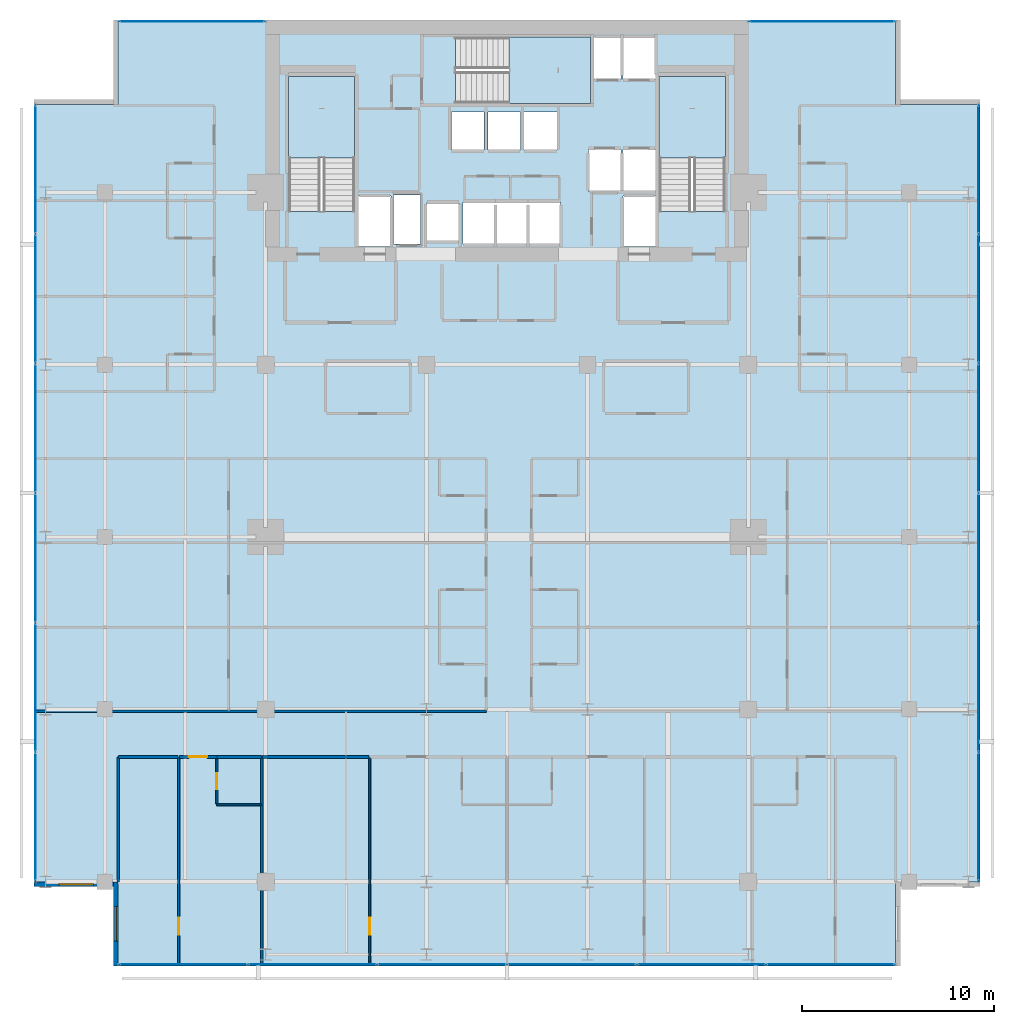
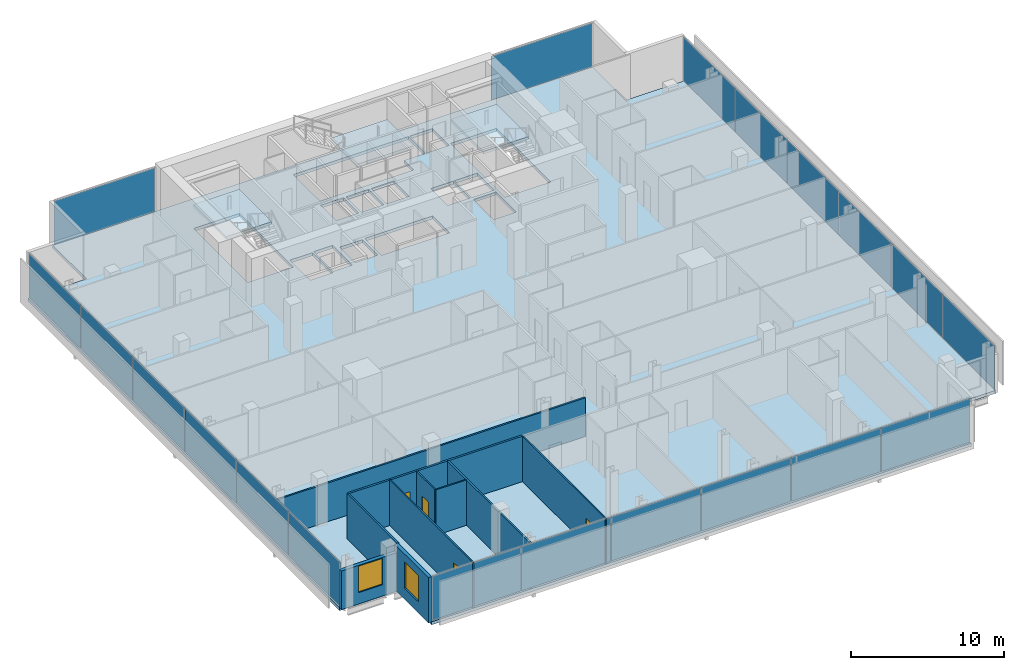
# One storey, part 26 of 34: 20 plates, 13 walls, 4 doors, 4 slabs, 2 windows, 6 openings, 8 elements without a shape of their own.
"""IFC4 building model written with IfcOpenShell, lengths in metres."""

from ifc_helpers import new_model, si_unit, direction, frame, frame_2d, origin, origin_2d, place, context, subcontext, project, spatial, polyline, rectangle, outline, extrude, material, layer, layer_set, type_object, element, fill, aggregate, save


model = new_model("IFC4")

# Units and contexts
model_context = context("Model", 3, precision=1e-05, world=origin(), true_north=direction((0.0, 1.0)))
body_context = subcontext(model_context, "Body", "Model", "MODEL_VIEW")
ifc_project = project(units=[si_unit("LENGTHUNIT", "METRE"), si_unit("AREAUNIT", "SQUARE_METRE"), si_unit("VOLUMEUNIT", "CUBIC_METRE"), si_unit("PLANEANGLEUNIT", "RADIAN"), si_unit("MASSUNIT", "GRAM", prefix="KILO")], contexts=[model_context])

# Site, building, storey
site_placement = place(None, origin())
site = spatial("IfcSite", under=ifc_project, at=site_placement, CompositionType="ELEMENT")
building_placement = place(site_placement, origin())
building = spatial("IfcBuilding", under=site, at=building_placement, Name="Maruvema Waterfront Hotel and Observation Tower", CompositionType="ELEMENT")
storey_placement = place(building_placement, frame((0.0, 0.0, 215.949951171875)))
storey = spatial("IfcBuildingStorey", under=building, at=storey_placement, Name="L53", CompositionType="ELEMENT", Elevation=215.949951171875)

# Slab
ifc_material_1 = material(Name="Concrete C50/60", Category="concrete")
ifc_layer_1 = layer(ifc_material_1, 0.239990234375, Name="Reinforced Concrete Floor Slab 240 mm")
ifc_layer_set_1 = layer_set([ifc_layer_1], Name="Concrete C50/60")
slab_type_1 = type_object("IfcSlabType", Name="Reinforced Concrete Floor Slab 240 mm", PredefinedType="FLOOR", material=ifc_layer_set_1)
slab_1_placement = place(storey_placement, frame((0.0, 0.0, -0.239990234375)))
element("IfcSlab", 1, at=slab_1_placement, inside=storey, type_object=slab_type_1, Name="L53 Structural Floor Slab", PredefinedType="FLOOR", context=body_context, shape_type="SweptSolid", body=[
    extrude(outline(polyline([(17.5, 4.60009765625), (58.10009765625, 4.60009765625), (58.10009765625, 9.0), (62.5, 9.0), (62.5, 49.60009765625), (58.10009765625, 49.60009765625), (58.10009765625, 54.0), (17.5, 54.0), (17.5, 49.60009765625), (13.10009765625, 49.60009765625), (13.10009765625, 9.0), (17.5, 9.0), (17.5, 4.60009765625)]), holes=[polyline([(26.39990234375, 44.00048828125), (26.39990234375, 51.050048828125), (29.85009765625, 51.050048828125), (29.85009765625, 44.00048828125), (26.39990234375, 44.00048828125)]), polyline([(30.050048828125, 44.800048828125), (31.75, 44.800048828125), (31.75, 42.169921875), (30.050048828125, 42.169921875), (30.050048828125, 44.800048828125)]), polyline([(31.8798828125, 44.860107421875), (33.280029296875, 44.860107421875), (33.280029296875, 42.2900390625), (31.8798828125, 42.2900390625), (31.8798828125, 44.860107421875)]), polyline([(33.60009765625, 44.449951171875), (35.300048828125, 44.449951171875), (35.300048828125, 42.449951171875), (33.60009765625, 42.449951171875), (33.60009765625, 44.449951171875)]), polyline([(34.89990234375, 49.199951171875), (36.60009765625, 49.199951171875), (36.60009765625, 47.199951171875), (34.89990234375, 47.199951171875), (34.89990234375, 49.199951171875)]), polyline([(36.800048828125, 49.199951171875), (38.5, 49.199951171875), (38.5, 47.199951171875), (36.800048828125, 47.199951171875), (36.800048828125, 49.199951171875)]), polyline([(35.5, 42.300048828125), (35.5, 44.5), (40.60009765625, 44.5), (40.60009765625, 42.300048828125), (35.5, 42.300048828125)]), polyline([(35.1005859375, 53.10009765625), (43.75, 53.10009765625), (43.75, 50.89990234375), (42.14990234375, 50.89990234375), (42.14990234375, 49.64990234375), (35.1005859375, 49.64990234375), (35.1005859375, 53.10009765625)]), polyline([(38.699951171875, 49.199951171875), (40.39990234375, 49.199951171875), (40.39990234375, 47.199951171875), (38.699951171875, 47.199951171875), (38.699951171875, 49.199951171875)]), polyline([(42.050048828125, 47.25), (43.75, 47.25), (43.75, 45.050048828125), (42.050048828125, 45.050048828125), (42.050048828125, 47.25)]), polyline([(43.85009765625, 44.800048828125), (45.550048828125, 44.800048828125), (45.550048828125, 42.169921875), (43.85009765625, 42.169921875), (43.85009765625, 44.800048828125)]), polyline([(43.85009765625, 47.25), (45.550048828125, 47.25), (45.550048828125, 45.050048828125), (43.85009765625, 45.050048828125), (43.85009765625, 47.25)]), polyline([(45.550048828125, 53.10009765625), (45.550048828125, 50.89990234375), (43.85009765625, 50.89990234375), (43.85009765625, 53.10009765625), (45.550048828125, 53.10009765625)]), polyline([(45.75, 44.00048828125), (45.75, 51.050048828125), (49.199951171875, 51.050048828125), (49.199951171875, 44.00048828125), (45.75, 44.00048828125)])]), origin(), (0.0, 0.0, 1.0), 0.239990234375),
])

# Curtain wall, plates
ifc_material_2 = material(Name="Anodised bronze aluminium and solar-control low-E IGU", Category="aluminium")
ifc_layer_2 = layer(ifc_material_2, 0.159912109375, Name="Zone 2 Amber Inner Thermal Curtain Wall System CW-03")
ifc_layer_set_2 = layer_set([ifc_layer_2], Name="Anodised bronze aluminium and solar-control low-E IGU")
curtain_wall_type = type_object("IfcCurtainWallType", Name="Zone 2 Amber Inner Thermal Curtain Wall System CW-03", PredefinedType="USERDEFINED", material=ifc_layer_set_2)
curtain_wall_1_placement = place(storey_placement, origin())
curtain_wall_1 = element("IfcCurtainWall", 2, at=curtain_wall_1_placement, inside=storey, type_object=curtain_wall_type, Name="L53 Curtain Wall CW-L53-S", ObjectType="UNITISED CURTAIN WALL", PredefinedType="USERDEFINED")
ifc_material_3 = material(Name="Laminated low-E solar-control double glazing", Category="glass")
ifc_layer_3 = layer(ifc_material_3, 0.035888671875, Name="Solar Control Double-Glazed Curtain Panel 36 mm")
ifc_layer_set_3 = layer_set([ifc_layer_3], Name="Laminated low-E solar-control double glazing")
plate_type = type_object("IfcPlateType", Name="Solar Control Double-Glazed Curtain Panel 36 mm", PredefinedType="CURTAIN_PANEL", material=ifc_layer_set_3)
plate_1_placement = place(storey_placement, frame((20.8984375, 4.679931640625, 0.06005859375), z_axis=(0.0, 0.0, 1.0), x_axis=(1.0, 0.0, 0.0)))
plate_1 = element("IfcPlate", 3, at=plate_1_placement, type_object=plate_type, Name="CW-03 panel 1.1", PredefinedType="CURTAIN_PANEL", context=body_context, shape_type="SweptSolid", body=[
    extrude(rectangle(XDim=6.6767578125, YDim=0.028076171875, at=origin_2d()), origin(), (0.0, 0.0, 1.0), 3.489990234375),
])
plate_2_placement = place(storey_placement, frame((27.64990234375, 4.679931640625, 0.06005859375), z_axis=(0.0, 0.0, 1.0), x_axis=(1.0, 0.0, 0.0)))
plate_2 = element("IfcPlate", 4, at=plate_2_placement, type_object=plate_type, Name="CW-03 panel 2.1", PredefinedType="CURTAIN_PANEL", context=body_context, shape_type="SweptSolid", body=[
    extrude(rectangle(XDim=6.706787109375, YDim=0.028076171875, at=origin_2d()), origin(), (0.0, 0.0, 1.0), 3.489990234375),
])
plate_3_placement = place(storey_placement, frame((34.416748046875, 4.679931640625, 0.06005859375), z_axis=(0.0, 0.0, 1.0), x_axis=(1.0, 0.0, 0.0)))
plate_3 = element("IfcPlate", 5, at=plate_3_placement, type_object=plate_type, Name="CW-03 panel 3.1", PredefinedType="CURTAIN_PANEL", context=body_context, shape_type="SweptSolid", body=[
    extrude(rectangle(XDim=6.706787109375, YDim=0.028076171875, at=origin_2d()), origin(), (0.0, 0.0, 1.0), 3.489990234375),
])
plate_4_placement = place(storey_placement, frame((41.183349609375, 4.679931640625, 0.06005859375), z_axis=(0.0, 0.0, 1.0), x_axis=(1.0, 0.0, 0.0)))
plate_4 = element("IfcPlate", 6, at=plate_4_placement, type_object=plate_type, Name="CW-03 panel 4.1", PredefinedType="CURTAIN_PANEL", context=body_context, shape_type="SweptSolid", body=[
    extrude(rectangle(XDim=6.706787109375, YDim=0.028076171875, at=origin_2d()), origin(), (0.0, 0.0, 1.0), 3.489990234375),
])
plate_5_placement = place(storey_placement, frame((47.949951171875, 4.679931640625, 0.06005859375), z_axis=(0.0, 0.0, 1.0), x_axis=(1.0, 0.0, 0.0)))
plate_5 = element("IfcPlate", 7, at=plate_5_placement, type_object=plate_type, Name="CW-03 panel 5.1", PredefinedType="CURTAIN_PANEL", context=body_context, shape_type="SweptSolid", body=[
    extrude(rectangle(XDim=6.706787109375, YDim=0.028076171875, at=origin_2d()), origin(), (0.0, 0.0, 1.0), 3.489990234375),
])
plate_6_placement = place(storey_placement, frame((54.70166015625, 4.679931640625, 0.06005859375), z_axis=(0.0, 0.0, 1.0), x_axis=(1.0, 0.0, 0.0)))
plate_6 = element("IfcPlate", 8, at=plate_6_placement, type_object=plate_type, Name="CW-03 panel 6.1", PredefinedType="CURTAIN_PANEL", context=body_context, shape_type="SweptSolid", body=[
    extrude(rectangle(XDim=6.6767578125, YDim=0.028076171875, at=origin_2d()), origin(), (0.0, 0.0, 1.0), 3.489990234375),
])
aggregate(curtain_wall_1, [plate_1, plate_2, plate_3, plate_4, plate_5, plate_6])

curtain_wall_2_placement = place(storey_placement, origin())
curtain_wall_2 = element("IfcCurtainWall", 9, at=curtain_wall_2_placement, inside=storey, type_object=curtain_wall_type, Name="L53 Curtain Wall CW-L53-E", ObjectType="UNITISED CURTAIN WALL", PredefinedType="USERDEFINED")
plate_7_placement = place(storey_placement, frame((62.419921875, 12.3984375, 0.06005859375), z_axis=(0.0, 0.0, 1.0), x_axis=(0.0, 1.0, 0.0)))
plate_7 = element("IfcPlate", 10, at=plate_7_placement, type_object=plate_type, Name="CW-03 panel 1.1", PredefinedType="CURTAIN_PANEL", context=body_context, shape_type="SweptSolid", body=[
    extrude(rectangle(XDim=6.6767578125, YDim=0.028076171875, at=origin_2d()), origin(), (0.0, 0.0, 1.0), 3.489990234375),
])
plate_8_placement = place(storey_placement, frame((62.419921875, 19.14990234375, 0.06005859375), z_axis=(0.0, 0.0, 1.0), x_axis=(0.0, 1.0, 0.0)))
plate_8 = element("IfcPlate", 11, at=plate_8_placement, type_object=plate_type, Name="CW-03 panel 2.1", PredefinedType="CURTAIN_PANEL", context=body_context, shape_type="SweptSolid", body=[
    extrude(rectangle(XDim=6.706787109375, YDim=0.028076171875, at=origin_2d()), origin(), (0.0, 0.0, 1.0), 3.489990234375),
])
plate_9_placement = place(storey_placement, frame((62.419921875, 25.916748046875, 0.06005859375), z_axis=(0.0, 0.0, 1.0), x_axis=(0.0, 1.0, 0.0)))
plate_9 = element("IfcPlate", 12, at=plate_9_placement, type_object=plate_type, Name="CW-03 panel 3.1", PredefinedType="CURTAIN_PANEL", context=body_context, shape_type="SweptSolid", body=[
    extrude(rectangle(XDim=6.706787109375, YDim=0.028076171875, at=origin_2d()), origin(), (0.0, 0.0, 1.0), 3.489990234375),
])
plate_10_placement = place(storey_placement, frame((62.419921875, 32.683349609375, 0.06005859375), z_axis=(0.0, 0.0, 1.0), x_axis=(0.0, 1.0, 0.0)))
plate_10 = element("IfcPlate", 13, at=plate_10_placement, type_object=plate_type, Name="CW-03 panel 4.1", PredefinedType="CURTAIN_PANEL", context=body_context, shape_type="SweptSolid", body=[
    extrude(rectangle(XDim=6.706787109375, YDim=0.028076171875, at=origin_2d()), origin(), (0.0, 0.0, 1.0), 3.489990234375),
])
plate_11_placement = place(storey_placement, frame((62.419921875, 39.449951171875, 0.06005859375), z_axis=(0.0, 0.0, 1.0), x_axis=(0.0, 1.0, 0.0)))
plate_11 = element("IfcPlate", 14, at=plate_11_placement, type_object=plate_type, Name="CW-03 panel 5.1", PredefinedType="CURTAIN_PANEL", context=body_context, shape_type="SweptSolid", body=[
    extrude(rectangle(XDim=6.706787109375, YDim=0.028076171875, at=origin_2d()), origin(), (0.0, 0.0, 1.0), 3.489990234375),
])
plate_12_placement = place(storey_placement, frame((62.419921875, 46.20166015625, 0.06005859375), z_axis=(0.0, 0.0, 1.0), x_axis=(0.0, 1.0, 0.0)))
plate_12 = element("IfcPlate", 15, at=plate_12_placement, type_object=plate_type, Name="CW-03 panel 6.1", PredefinedType="CURTAIN_PANEL", context=body_context, shape_type="SweptSolid", body=[
    extrude(rectangle(XDim=6.6767578125, YDim=0.028076171875, at=origin_2d()), origin(), (0.0, 0.0, 1.0), 3.489990234375),
])
aggregate(curtain_wall_2, [plate_7, plate_8, plate_9, plate_10, plate_11, plate_12])

curtain_wall_3_placement = place(storey_placement, origin())
curtain_wall_3 = element("IfcCurtainWall", 16, at=curtain_wall_3_placement, inside=storey, type_object=curtain_wall_type, Name="L53 Curtain Wall CW-L53-W", ObjectType="UNITISED CURTAIN WALL", PredefinedType="USERDEFINED")
plate_13_placement = place(storey_placement, frame((13.179931640625, 46.20166015625, 0.06005859375), z_axis=(0.0, 0.0, 1.0), x_axis=(0.0, -1.0, 0.0)))
plate_13 = element("IfcPlate", 17, at=plate_13_placement, type_object=plate_type, Name="CW-03 panel 1.1", PredefinedType="CURTAIN_PANEL", context=body_context, shape_type="SweptSolid", body=[
    extrude(rectangle(XDim=6.6767578125, YDim=0.028076171875, at=origin_2d()), origin(), (0.0, 0.0, 1.0), 3.489990234375),
])
plate_14_placement = place(storey_placement, frame((13.179931640625, 39.449951171875, 0.06005859375), z_axis=(0.0, 0.0, 1.0), x_axis=(0.0, -1.0, 0.0)))
plate_14 = element("IfcPlate", 18, at=plate_14_placement, type_object=plate_type, Name="CW-03 panel 2.1", PredefinedType="CURTAIN_PANEL", context=body_context, shape_type="SweptSolid", body=[
    extrude(rectangle(XDim=6.706787109375, YDim=0.028076171875, at=origin_2d()), origin(), (0.0, 0.0, 1.0), 3.489990234375),
])
plate_15_placement = place(storey_placement, frame((13.179931640625, 32.683349609375, 0.06005859375), z_axis=(0.0, 0.0, 1.0), x_axis=(0.0, -1.0, 0.0)))
plate_15 = element("IfcPlate", 19, at=plate_15_placement, type_object=plate_type, Name="CW-03 panel 3.1", PredefinedType="CURTAIN_PANEL", context=body_context, shape_type="SweptSolid", body=[
    extrude(rectangle(XDim=6.706787109375, YDim=0.028076171875, at=origin_2d()), origin(), (0.0, 0.0, 1.0), 3.489990234375),
])
plate_16_placement = place(storey_placement, frame((13.179931640625, 25.916748046875, 0.06005859375), z_axis=(0.0, 0.0, 1.0), x_axis=(0.0, -1.0, 0.0)))
plate_16 = element("IfcPlate", 20, at=plate_16_placement, type_object=plate_type, Name="CW-03 panel 4.1", PredefinedType="CURTAIN_PANEL", context=body_context, shape_type="SweptSolid", body=[
    extrude(rectangle(XDim=6.706787109375, YDim=0.028076171875, at=origin_2d()), origin(), (0.0, 0.0, 1.0), 3.489990234375),
])
plate_17_placement = place(storey_placement, frame((13.179931640625, 19.14990234375, 0.06005859375), z_axis=(0.0, 0.0, 1.0), x_axis=(0.0, -1.0, 0.0)))
plate_17 = element("IfcPlate", 21, at=plate_17_placement, type_object=plate_type, Name="CW-03 panel 5.1", PredefinedType="CURTAIN_PANEL", context=body_context, shape_type="SweptSolid", body=[
    extrude(rectangle(XDim=6.706787109375, YDim=0.028076171875, at=origin_2d()), origin(), (0.0, 0.0, 1.0), 3.489990234375),
])
plate_18_placement = place(storey_placement, frame((13.179931640625, 12.3984375, 0.06005859375), z_axis=(0.0, 0.0, 1.0), x_axis=(0.0, -1.0, 0.0)))
plate_18 = element("IfcPlate", 22, at=plate_18_placement, type_object=plate_type, Name="CW-03 panel 6.1", PredefinedType="CURTAIN_PANEL", context=body_context, shape_type="SweptSolid", body=[
    extrude(rectangle(XDim=6.6767578125, YDim=0.028076171875, at=origin_2d()), origin(), (0.0, 0.0, 1.0), 3.489990234375),
])
aggregate(curtain_wall_3, [plate_13, plate_14, plate_15, plate_16, plate_17, plate_18])

# Curtain wall, plate
curtain_wall_4_placement = place(storey_placement, origin())
curtain_wall_4 = element("IfcCurtainWall", 23, at=curtain_wall_4_placement, inside=storey, type_object=curtain_wall_type, Name="L53 Curtain Wall CW-L53-NW", ObjectType="UNITISED CURTAIN WALL", PredefinedType="USERDEFINED")
plate_19_placement = place(storey_placement, frame((21.35009765625, 53.919921875, 0.06005859375), z_axis=(0.0, 0.0, 1.0), x_axis=(-1.0, 0.0, 0.0)))
plate_19 = element("IfcPlate", 24, at=plate_19_placement, type_object=plate_type, Name="CW-03 panel 1.1", PredefinedType="CURTAIN_PANEL", context=body_context, shape_type="SweptSolid", body=[
    extrude(rectangle(XDim=7.580078125, YDim=0.028076171875, at=origin_2d()), origin(), (0.0, 0.0, 1.0), 3.489990234375),
])
aggregate(curtain_wall_4, [plate_19])

curtain_wall_5_placement = place(storey_placement, origin())
curtain_wall_5 = element("IfcCurtainWall", 25, at=curtain_wall_5_placement, inside=storey, type_object=curtain_wall_type, Name="L53 Curtain Wall CW-L53-NE", ObjectType="UNITISED CURTAIN WALL", PredefinedType="USERDEFINED")
plate_20_placement = place(storey_placement, frame((54.25, 53.919921875, 0.06005859375), z_axis=(0.0, 0.0, 1.0), x_axis=(-1.0, 0.0, 0.0)))
plate_20 = element("IfcPlate", 26, at=plate_20_placement, type_object=plate_type, Name="CW-03 panel 1.1", PredefinedType="CURTAIN_PANEL", context=body_context, shape_type="SweptSolid", body=[
    extrude(rectangle(XDim=7.580078125, YDim=0.028076171875, at=origin_2d()), origin(), (0.0, 0.0, 1.0), 3.489990234375),
])
aggregate(curtain_wall_5, [plate_20])

# Stair, slab
ifc_material_4 = material(Name="Concrete C50/60", Category="concrete")
stair_type = type_object("IfcStairType", Name="Dogleg Exit Stair 1650 mm (22R x 175.0 mm)", PredefinedType="HALF_TURN_STAIR", material=ifc_material_4)
stair_1_placement = place(storey_placement, origin())
stair_1 = element("IfcStair", 27, at=stair_1_placement, inside=storey, type_object=stair_type, Name="L53 ST-01", PredefinedType="HALF_TURN_STAIR")
ifc_material_5 = material(Name="Concrete C50/60", Category="concrete")
ifc_layer_4 = layer(ifc_material_5, 0.219970703125, Name="Stair Concrete Landing Slab 220 mm")
ifc_layer_set_4 = layer_set([ifc_layer_4], Name="Concrete C50/60")
slab_type_2 = type_object("IfcSlabType", Name="Stair Concrete Landing Slab 220 mm", PredefinedType="LANDING", material=ifc_layer_set_4)
slab_2_placement = place(storey_placement, frame((0.0, 0.0, 1.705078125)))
slab_2 = element("IfcSlab", 28, at=slab_2_placement, type_object=slab_type_2, Name="ST-01 landing 1", PredefinedType="LANDING", context=body_context, shape_type="SweptSolid", body=[
    extrude(outline(polyline([(29.85009765625, 46.800048828125), (29.85009765625, 51.050048828125), (26.39990234375, 51.050048828125), (26.39990234375, 46.800048828125), (29.85009765625, 46.800048828125)])), origin(), (0.0, 0.0, 1.0), 0.219970703125),
])
aggregate(stair_1, [slab_2])

stair_2_placement = place(storey_placement, origin())
stair_2 = element("IfcStair", 29, at=stair_2_placement, inside=storey, type_object=stair_type, Name="L53 ST-02", PredefinedType="HALF_TURN_STAIR")
slab_3_placement = place(storey_placement, frame((0.0, 0.0, 1.705078125)))
slab_3 = element("IfcSlab", 30, at=slab_3_placement, type_object=slab_type_2, Name="ST-02 landing 1", PredefinedType="LANDING", context=body_context, shape_type="SweptSolid", body=[
    extrude(outline(polyline([(37.89990234375, 49.64990234375), (42.14990234375, 49.64990234375), (42.14990234375, 53.10009765625), (37.89990234375, 53.10009765625), (37.89990234375, 49.64990234375)])), origin(), (0.0, 0.0, 1.0), 0.219970703125),
])
aggregate(stair_2, [slab_3])

stair_3_placement = place(storey_placement, origin())
stair_3 = element("IfcStair", 31, at=stair_3_placement, inside=storey, type_object=stair_type, Name="L53 ST-03", PredefinedType="HALF_TURN_STAIR")
slab_4_placement = place(storey_placement, frame((0.0, 0.0, 1.705078125)))
slab_4 = element("IfcSlab", 32, at=slab_4_placement, type_object=slab_type_2, Name="ST-03 landing 1", PredefinedType="LANDING", context=body_context, shape_type="SweptSolid", body=[
    extrude(outline(polyline([(49.199951171875, 46.800048828125), (49.199951171875, 51.050048828125), (45.75, 51.050048828125), (45.75, 46.800048828125), (49.199951171875, 46.800048828125)])), origin(), (0.0, 0.0, 1.0), 0.219970703125),
])
aggregate(stair_3, [slab_4])

# Walls
ifc_material_6 = material(Name="Twin-stud acoustic gypsum drywall", Category="gypsum")
ifc_layer_5 = layer(ifc_material_6, 0.14990234375, Name="Acoustic Corridor and Suite Demising Wall 150 mm")
ifc_layer_set_5 = layer_set([ifc_layer_5], Name="Twin-stud acoustic gypsum drywall")
wall_type_1 = type_object("IfcWallType", Name="Acoustic Corridor and Suite Demising Wall 150 mm", PredefinedType="PARTITIONING", material=ifc_layer_set_5)
wall_1_placement = place(storey_placement, frame((22.64990234375, 15.52001953125, 0.0), z_axis=(0.0, 0.0, 1.0), x_axis=(1.0, 0.0, 0.0)))
element("IfcWall", 33, at=wall_1_placement, inside=storey, type_object=wall_type_1, Name="L53 Bath L53-S1 Back Wall 037", PredefinedType="PARTITIONING", context=body_context, shape_type="SweptSolid", body=[
    extrude(rectangle(XDim=2.330078125, YDim=0.14990234375, at=frame_2d((1.1650390625, 0.0))), origin(), (0.0, 0.0, 1.0), 3.610107421875),
])
wall_2_placement = place(storey_placement, frame((17.52001953125, 15.52001953125, 0.0), z_axis=(0.0, 0.0, 1.0), x_axis=(1.0, 0.0, 0.0)))
element("IfcWall", 34, at=wall_2_placement, inside=storey, type_object=wall_type_1, Name="L53 Bedroom L53-S1 Back Wall 040", PredefinedType="PARTITIONING", context=body_context, shape_type="SweptSolid", body=[
    extrude(rectangle(XDim=3.090087890625, YDim=0.14990234375, at=frame_2d((1.544921875, 0.0))), origin(), (0.0, 0.0, 1.0), 3.610107421875),
])

# Wall, opening, door
wall_3_placement = place(storey_placement, frame((20.68994140625, 15.52001953125, 0.0), z_axis=(0.0, 0.0, 1.0), x_axis=(1.0, 0.0, 0.0)))
wall_3 = element("IfcWall", 35, at=wall_3_placement, inside=storey, type_object=wall_type_1, Name="L53 Unit L53-S1 Corridor Wall 041", PredefinedType="PARTITIONING", context=body_context, shape_type="SweptSolid", body=[
    extrude(rectangle(XDim=1.9599609375, YDim=0.14990234375, at=frame_2d((0.97998046875, 0.0))), origin(), (0.0, 0.0, 1.0), 3.610107421875),
])
opening_1_placement = place(wall_3_placement, frame((0.5048828125, 0.0, 0.0)))
opening_1 = element("IfcOpeningElement", 36, at=opening_1_placement, cuts=wall_3, Name="Opening DR-095", PredefinedType="OPENING", context=body_context, shape_type="SweptSolid", body=[
    extrude(rectangle(XDim=0.949951171875, YDim=2.14990234375, at=frame_2d((0.47509765625, 1.074951171875))), frame((0.0, 0.0849609375, 0.0), z_axis=(0.0, -1.0, 0.0), x_axis=(1.0, 0.0, 0.0)), (0.0, 0.0, 1.0), 0.169921875),
])
ifc_material_7 = material(Name="Acoustic solid-core hardwood timber leaf", Category="wood")
door_type_1 = type_object("IfcDoorType", Name="Guestroom Entrance Fire Door 950x2150 mm", OperationType="NOTDEFINED", PredefinedType="DOOR", material=ifc_material_7)
door_1_placement = place(opening_1_placement, frame((0.949951171875, 0.0, 0.0), z_axis=(0.0, 0.0, 1.0), x_axis=(-1.0, 0.0, 0.0)))
door_1 = element("IfcDoor", 37, at=door_1_placement, inside=storey, type_object=door_type_1, Name="L53 Unit L53-S1 Entrance Door", OperationType="SINGLE_SWING_RIGHT", OverallHeight=2.14990234375, OverallWidth=0.949951171875, PredefinedType="DOOR", context=body_context, shape_type="SweptSolid", body=[
    extrude(rectangle(XDim=0.949951171875, YDim=2.14990234375, at=frame_2d((0.47509765625, 1.074951171875))), frame((0.0, 0.02490234375, 0.0), z_axis=(0.0, -1.0, 0.0), x_axis=(1.0, 0.0, 0.0)), (0.0, 0.0, 1.0), 0.050048828125),
])
fill(opening_1, door_1)

# Walls
wall_4_placement = place(storey_placement, frame((25.02001953125, 15.52001953125, 0.0), z_axis=(0.0, 0.0, 1.0), x_axis=(1.0, 0.0, 0.0)))
element("IfcWall", 38, at=wall_4_placement, inside=storey, type_object=wall_type_1, Name="L53 Bedroom L53-S2 Back Wall 047", PredefinedType="PARTITIONING", context=body_context, shape_type="SweptSolid", body=[
    extrude(rectangle(XDim=5.572021484375, YDim=0.14990234375, at=frame_2d((2.7861328125, 0.0))), origin(), (0.0, 0.0, 1.0), 3.610107421875),
])
ifc_material_8 = material(Name="Moisture-resistant cement-board drywall", Category="gypsum")
ifc_layer_6 = layer(ifc_material_8, 0.10009765625, Name="En-Suite Moisture-Resistant Partition 100 mm")
ifc_layer_set_6 = layer_set([ifc_layer_6], Name="Moisture-resistant cement-board drywall")
wall_type_2 = type_object("IfcWallType", Name="En-Suite Moisture-Resistant Partition 100 mm", PredefinedType="PARTITIONING", material=ifc_layer_set_6)
wall_5_placement = place(storey_placement, frame((22.64990234375, 13.02001953125, 0.0), z_axis=(0.0, 0.0, 1.0), x_axis=(1.0, 0.0, 0.0)))
element("IfcWall", 39, at=wall_5_placement, inside=storey, type_object=wall_type_2, Name="L53 En-Suite L53-S1 South 038", PredefinedType="PARTITIONING", context=body_context, shape_type="SweptSolid", body=[
    extrude(rectangle(XDim=2.31005859375, YDim=0.10009765625, at=frame_2d((1.155029296875, 0.0))), origin(), (0.0, 0.0, 1.0), 3.610107421875),
])

# Wall, opening, door
wall_6_placement = place(storey_placement, frame((22.64990234375, 13.080078125, 0.0), z_axis=(0.0, 0.0, 1.0), x_axis=(0.0, 1.0, 0.0)))
wall_6 = element("IfcWall", 40, at=wall_6_placement, inside=storey, type_object=wall_type_2, Name="L53 En-Suite L53-S1 West 039", PredefinedType="PARTITIONING", context=body_context, shape_type="SweptSolid", body=[
    extrude(rectangle(XDim=2.33984375, YDim=0.10009765625, at=frame_2d((1.169921875, 0.0))), origin(), (0.0, 0.0, 1.0), 3.610107421875),
])
opening_2_placement = place(wall_6_placement, frame((0.7451171875, 0.0, 0.0)))
opening_2 = element("IfcOpeningElement", 41, at=opening_2_placement, cuts=wall_6, Name="Opening DR-085", PredefinedType="OPENING", context=body_context, shape_type="SweptSolid", body=[
    extrude(rectangle(XDim=0.85009765625, YDim=2.10009765625, at=frame_2d((0.425048828125, 1.050048828125))), frame((0.0, 0.06005859375, 0.0), z_axis=(0.0, -1.0, 0.0), x_axis=(1.0, 0.0, 0.0)), (0.0, 0.0, 1.0), 0.1201171875),
])
ifc_material_9 = material(Name="Moisture-resistant solid timber leaf", Category="wood")
door_type_2 = type_object("IfcDoorType", Name="En-Suite Bathroom Door 850x2100 mm", OperationType="NOTDEFINED", PredefinedType="DOOR", material=ifc_material_9)
door_2_placement = place(opening_2_placement, origin())
door_2 = element("IfcDoor", 42, at=door_2_placement, inside=storey, type_object=door_type_2, Name="L53 En-Suite L53-S1 Door", OperationType="SINGLE_SWING_LEFT", OverallHeight=2.10009765625, OverallWidth=0.85009765625, PredefinedType="DOOR", context=body_context, shape_type="SweptSolid", body=[
    extrude(rectangle(XDim=0.85009765625, YDim=2.10009765625, at=frame_2d((0.425048828125, 1.050048828125))), frame((0.0, 0.02490234375, 0.0), z_axis=(0.0, -1.0, 0.0), x_axis=(1.0, 0.0, 0.0)), (0.0, 0.0, 1.0), 0.050048828125),
])
fill(opening_2, door_2)

wall_7_placement = place(storey_placement, frame((20.64990234375, 4.6298828125, 0.0), z_axis=(0.0, 0.0, 1.0), x_axis=(0.0, 1.0, 0.0)))
wall_7 = element("IfcWall", 43, at=wall_7_placement, inside=storey, type_object=wall_type_2, Name="L53 Suite L53-S1 Split 042", PredefinedType="PARTITIONING", context=body_context, shape_type="SweptSolid", body=[
    extrude(rectangle(XDim=10.830078125, YDim=0.10009765625, at=frame_2d((5.4150390625, 0.0))), origin(), (0.0, 0.0, 1.0), 3.610107421875),
])
opening_3_placement = place(wall_7_placement, frame((1.60009765625, 0.0, 0.0)))
opening_3 = element("IfcOpeningElement", 44, at=opening_3_placement, cuts=wall_7, Name="Opening DR-090", PredefinedType="OPENING", context=body_context, shape_type="SweptSolid", body=[
    extrude(rectangle(XDim=0.89990234375, YDim=2.10009765625, at=frame_2d((0.449951171875, 1.050048828125))), frame((0.0, 0.06005859375, 0.0), z_axis=(0.0, -1.0, 0.0), x_axis=(1.0, 0.0, 0.0)), (0.0, 0.0, 1.0), 0.1201171875),
])
ifc_material_10 = material(Name="Solid-core lacquered timber leaf", Category="wood")
door_type_3 = type_object("IfcDoorType", Name="Accessible Toilet and Room Door 900x2100 mm", OperationType="NOTDEFINED", PredefinedType="DOOR", material=ifc_material_10)
door_3_placement = place(opening_3_placement, frame((0.89990234375, 0.0, 0.0), z_axis=(0.0, 0.0, 1.0), x_axis=(-1.0, 0.0, 0.0)))
door_3 = element("IfcDoor", 45, at=door_3_placement, inside=storey, type_object=door_type_3, Name="L53 Suite L53-S1 Bedroom Door", OperationType="SINGLE_SWING_LEFT", OverallHeight=2.10009765625, OverallWidth=0.89990234375, PredefinedType="DOOR", context=body_context, shape_type="SweptSolid", body=[
    extrude(rectangle(XDim=0.89990234375, YDim=2.10009765625, at=frame_2d((0.449951171875, 1.050048828125))), frame((0.0, 0.02490234375, 0.0), z_axis=(0.0, -1.0, 0.0), x_axis=(1.0, 0.0, 0.0)), (0.0, 0.0, 1.0), 0.050048828125),
])
fill(opening_3, door_3)

wall_8_placement = place(storey_placement, frame((30.632080078125, 4.6298828125, 0.0), z_axis=(0.0, 0.0, 1.0), x_axis=(0.0, 1.0, 0.0)))
wall_8 = element("IfcWall", 46, at=wall_8_placement, inside=storey, type_object=wall_type_2, Name="L53 Suite L53-S2 Split 049", PredefinedType="PARTITIONING", context=body_context, shape_type="SweptSolid", body=[
    extrude(rectangle(XDim=10.830078125, YDim=0.10009765625, at=frame_2d((5.4150390625, 0.0))), origin(), (0.0, 0.0, 1.0), 3.610107421875),
])
opening_4_placement = place(wall_8_placement, frame((1.60009765625, 0.0, 0.0)))
opening_4 = element("IfcOpeningElement", 47, at=opening_4_placement, cuts=wall_8, Name="Opening DR-090", PredefinedType="OPENING", context=body_context, shape_type="SweptSolid", body=[
    extrude(rectangle(XDim=0.89990234375, YDim=2.10009765625, at=frame_2d((0.449951171875, 1.050048828125))), frame((0.0, 0.06005859375, 0.0), z_axis=(0.0, -1.0, 0.0), x_axis=(1.0, 0.0, 0.0)), (0.0, 0.0, 1.0), 0.1201171875),
])
door_4_placement = place(opening_4_placement, frame((0.89990234375, 0.0, 0.0), z_axis=(0.0, 0.0, 1.0), x_axis=(-1.0, 0.0, 0.0)))
door_4 = element("IfcDoor", 48, at=door_4_placement, inside=storey, type_object=door_type_3, Name="L53 Suite L53-S2 Bedroom Door", OperationType="SINGLE_SWING_RIGHT", OverallHeight=2.10009765625, OverallWidth=0.89990234375, PredefinedType="DOOR", context=body_context, shape_type="SweptSolid", body=[
    extrude(rectangle(XDim=0.89990234375, YDim=2.10009765625, at=frame_2d((0.449951171875, 1.050048828125))), frame((0.0, 0.02490234375, 0.0), z_axis=(0.0, -1.0, 0.0), x_axis=(1.0, 0.0, 0.0)), (0.0, 0.0, 1.0), 0.050048828125),
])
fill(opening_4, door_4)

# Wall, opening, window
ifc_material_11 = material(Name="Precast concrete C45/55 with honed Pernambuco granite facing", Category="masonry")
ifc_layer_7 = layer(ifc_material_11, 0.260009765625, Name="Exterior Granite Clad Spandrel and Pier Wall 260 mm")
ifc_layer_set_7 = layer_set([ifc_layer_7], Name="Precast concrete C45/55 with honed Pernambuco granite facing")
wall_type_3 = type_object("IfcWallType", Name="Exterior Granite Clad Spandrel and Pier Wall 260 mm", PredefinedType="SOLIDWALL", material=ifc_layer_set_7)
wall_9_placement = place(storey_placement, frame((17.3701171875, 4.60009765625, 0.0), z_axis=(0.0, 0.0, 1.0), x_axis=(0.0, 1.0, 0.0)))
wall_9 = element("IfcWall", 49, at=wall_9_placement, inside=storey, type_object=wall_type_3, Name="L53 Corner Notch Granite Pier Wall SW1", PredefinedType="SOLIDWALL", context=body_context, shape_type="SweptSolid", body=[
    extrude(rectangle(XDim=4.39990234375, YDim=0.260009765625, at=frame_2d((2.199951171875, 0.0))), origin(), (0.0, 0.0, 1.0), 3.610107421875),
])
opening_5_placement = place(wall_9_placement, frame((1.300048828125, 0.0, 0.89990234375)))
opening_5 = element("IfcOpeningElement", 50, at=opening_5_placement, cuts=wall_9, Name="Opening WN-02", PredefinedType="OPENING", context=body_context, shape_type="SweptSolid", body=[
    extrude(rectangle(XDim=1.800048828125, YDim=2.10009765625, at=frame_2d((0.89990234375, 1.050048828125))), frame((0.0, 0.14013671875, 0.0), z_axis=(0.0, -1.0, 0.0), x_axis=(1.0, 0.0, 0.0)), (0.0, 0.0, 1.0), 0.280029296875),
])
ifc_material_12 = material(Name="Anodised bronze aluminium frame with laminated low-E glass", Category="aluminium")
window_type = type_object("IfcWindowType", Name="Upper Notch Feature Window 1800x2100 mm", PartitioningType="SINGLE_PANEL", PredefinedType="WINDOW", material=ifc_material_12)
window_1_placement = place(opening_5_placement, origin())
window_1 = element("IfcWindow", 51, at=window_1_placement, inside=storey, type_object=window_type, Name="L53 Corner Notch Punched Window SW1", OverallHeight=2.10009765625, OverallWidth=1.800048828125, PartitioningType="SINGLE_PANEL", PredefinedType="WINDOW", context=body_context, shape_type="SweptSolid", body=[
    extrude(rectangle(XDim=1.800048828125, YDim=2.10009765625, at=frame_2d((0.89990234375, 1.050048828125))), frame((0.0, 0.030029296875, 0.0), z_axis=(0.0, -1.0, 0.0), x_axis=(1.0, 0.0, 0.0)), (0.0, 0.0, 1.0), 0.06005859375),
])
fill(opening_5, window_1)

wall_10_placement = place(storey_placement, frame((17.5, 8.8701171875, 0.0), z_axis=(0.0, 0.0, 1.0), x_axis=(-1.0, 0.0, 0.0)))
wall_10 = element("IfcWall", 52, at=wall_10_placement, inside=storey, type_object=wall_type_3, Name="L53 Corner Notch Granite Pier Wall SW2", PredefinedType="SOLIDWALL", context=body_context, shape_type="SweptSolid", body=[
    extrude(rectangle(XDim=4.39990234375, YDim=0.260009765625, at=frame_2d((2.199951171875, 0.0))), origin(), (0.0, 0.0, 1.0), 3.071044921875),
])
opening_6_placement = place(wall_10_placement, frame((1.300048828125, 0.0, 0.89990234375)))
opening_6 = element("IfcOpeningElement", 53, at=opening_6_placement, cuts=wall_10, Name="Opening WN-02", PredefinedType="OPENING", context=body_context, shape_type="SweptSolid", body=[
    extrude(rectangle(XDim=1.800048828125, YDim=2.10009765625, at=frame_2d((0.89990234375, 1.050048828125))), frame((0.0, 0.14013671875, 0.0), z_axis=(0.0, -1.0, 0.0), x_axis=(1.0, 0.0, 0.0)), (0.0, 0.0, 1.0), 0.280029296875),
])
window_2_placement = place(opening_6_placement, origin())
window_2 = element("IfcWindow", 54, at=window_2_placement, inside=storey, type_object=window_type, Name="L53 Corner Notch Punched Window SW2", OverallHeight=2.10009765625, OverallWidth=1.800048828125, PartitioningType="SINGLE_PANEL", PredefinedType="WINDOW", context=body_context, shape_type="SweptSolid", body=[
    extrude(rectangle(XDim=1.800048828125, YDim=2.10009765625, at=frame_2d((0.89990234375, 1.050048828125))), frame((0.0, 0.030029296875, 0.0), z_axis=(0.0, -1.0, 0.0), x_axis=(1.0, 0.0, 0.0)), (0.0, 0.0, 1.0), 0.06005859375),
])
fill(opening_6, window_2)

# Walls
ifc_material_13 = material(Name="Acoustic gypsum plasterboard drywall", Category="gypsum")
ifc_layer_8 = layer(ifc_material_13, 0.125, Name="Guestroom Acoustic Demising Wall 125 mm")
ifc_layer_set_8 = layer_set([ifc_layer_8], Name="Acoustic gypsum plasterboard drywall")
wall_type_4 = type_object("IfcWallType", Name="Guestroom Acoustic Demising Wall 125 mm", PredefinedType="PARTITIONING", material=ifc_layer_set_8)
wall_11_placement = place(storey_placement, frame((17.5, 9.0, 0.0), z_axis=(0.0, 0.0, 1.0), x_axis=(0.0, 1.0, 0.0)))
element("IfcWall", 55, at=wall_11_placement, inside=storey, type_object=wall_type_4, Name="L53 Z2 S West End 035", PredefinedType="PARTITIONING", context=body_context, shape_type="SweptSolid", body=[
    extrude(rectangle(XDim=6.52001953125, YDim=0.125, at=frame_2d((3.260009765625, 0.0))), origin(), (0.0, 0.0, 1.0), 3.610107421875),
])
wall_12_placement = place(storey_placement, frame((25.0, 4.699951171875, 0.0), z_axis=(0.0, 0.0, 1.0), x_axis=(0.0, 1.0, 0.0)))
element("IfcWall", 56, at=wall_12_placement, inside=storey, type_object=wall_type_4, Name="L53 Z2 S Demising 2 043", PredefinedType="PARTITIONING", context=body_context, shape_type="SweptSolid", body=[
    extrude(rectangle(XDim=10.820068359375, YDim=0.125, at=frame_2d((5.41015625, 0.0))), origin(), (0.0, 0.0, 1.0), 3.610107421875),
])
wall_13_placement = place(storey_placement, frame((13.199951171875, 17.89990234375, 0.0), z_axis=(0.0, 0.0, 1.0), x_axis=(1.0, 0.0, 0.0)))
element("IfcWall", 57, at=wall_13_placement, inside=storey, type_object=wall_type_4, Name="L53 Z2 W Bot End 064", PredefinedType="PARTITIONING", context=body_context, shape_type="SweptSolid", body=[
    extrude(rectangle(XDim=23.52001953125, YDim=0.125, at=frame_2d((11.760009765625, 0.0))), origin(), (0.0, 0.0, 1.0), 3.071044921875),
])

save(model, "model.ifc")
